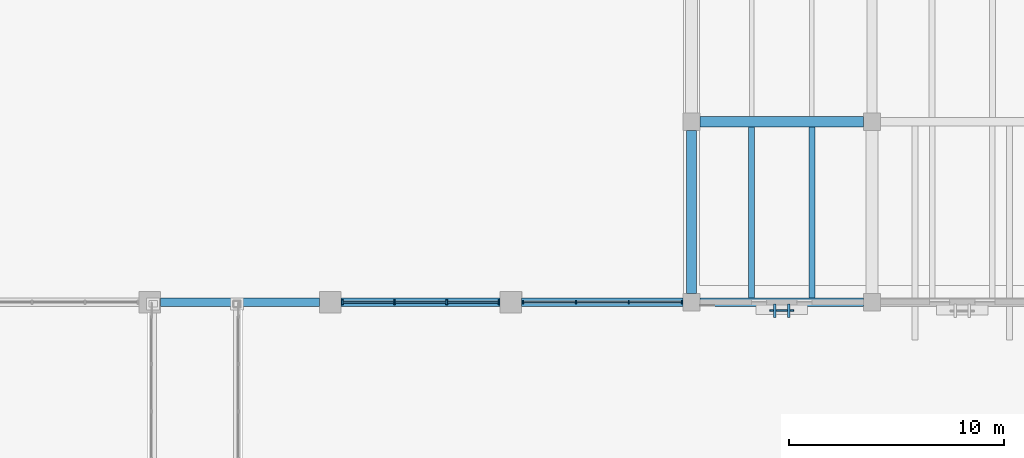
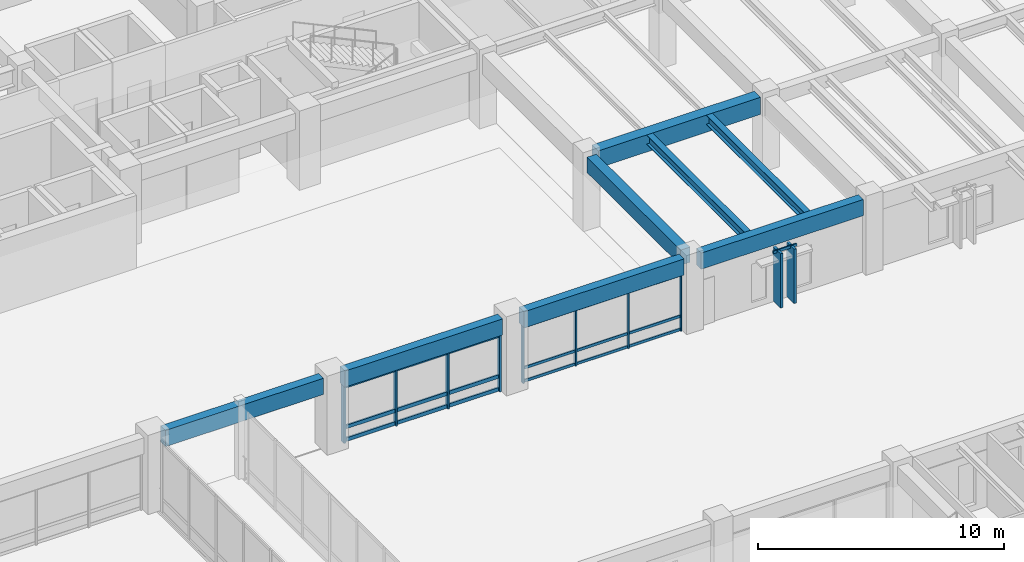
# One storey, part 40 of 135: 29 members, 8 beams, 3 elements without a shape of their own.
"""IFC4 building model written with IfcOpenShell, lengths in metres."""

from ifc_helpers import new_model, si_unit, direction, frame, origin, origin_2d, place, context, subcontext, project, spatial, rectangle, i_section, extrude, material, material_profile, profile_set, type_object, element, aggregate, save


model = new_model("IFC4")

# Units and contexts
model_context = context("Model", 3, precision=1e-05, world=origin(), true_north=direction((0.0, 1.0)))
body_context = subcontext(model_context, "Body", "Model", "MODEL_VIEW")
ifc_project = project(units=[si_unit("LENGTHUNIT", "METRE"), si_unit("AREAUNIT", "SQUARE_METRE"), si_unit("VOLUMEUNIT", "CUBIC_METRE"), si_unit("PLANEANGLEUNIT", "RADIAN"), si_unit("MASSUNIT", "GRAM", prefix="KILO")], contexts=[model_context])

# Site, building, storey
site_placement = place(None, origin())
site = spatial("IfcSite", under=ifc_project, at=site_placement, CompositionType="ELEMENT")
building_placement = place(site_placement, origin())
building = spatial("IfcBuilding", under=site, at=building_placement, Name="Cumbredor Promenade Congress Hotel", CompositionType="ELEMENT")
storey_placement = place(building_placement, origin())
storey = spatial("IfcBuildingStorey", under=building, at=storey_placement, Name="L00", CompositionType="ELEMENT", Elevation=0.0)

# Beams
ifc_material_1 = material(Name="Concrete C40/50", Category="concrete")
ifc_material_profile_1 = material_profile(ifc_material_1, rectangle(XDim=0.449951171875, YDim=0.75, at=origin_2d()), Name="RC BEAM 450x750")
ifc_profile_set_1 = profile_set([ifc_material_profile_1], Name="Concrete C40/50")
beam_type_1 = type_object("IfcBeamType", Name="BM-RC-450x750", PredefinedType="BEAM", material=ifc_profile_set_1)
beam_1_placement = place(storey_placement, frame((50.39990234375, 84.39990234375, 3.264892578125), z_axis=(0.0, 1.0, 0.0), x_axis=(-1.0, 0.0, 0.0)))
element("IfcBeam", 1, at=beam_1_placement, inside=storey, type_object=beam_type_1, Name="L01 Y-Grid Beam 079", PredefinedType="BEAM", context=body_context, shape_type="SweptSolid", body=[
    extrude(rectangle(XDim=0.449951171875, YDim=0.75, at=origin_2d()), origin(), (0.0, 0.0, 1.0), 7.60009765625),
])
ifc_material_profile_2 = material_profile(ifc_material_1, rectangle(XDim=0.5, YDim=0.85009765625, at=origin_2d()), Name="RC BEAM 500x850")
ifc_profile_set_2 = profile_set([ifc_material_profile_2], Name="Concrete C40/50")
beam_type_2 = type_object("IfcBeamType", Name="BM-RC-500x850", PredefinedType="BEAM", material=ifc_profile_set_2)
beam_2_placement = place(storey_placement, frame((50.800048828125, 92.39990234375, 3.215087890625), z_axis=(1.0, 0.0, 0.0), x_axis=(0.0, 1.0, 0.0)))
element("IfcBeam", 2, at=beam_2_placement, inside=storey, type_object=beam_type_2, Name="L01 X-Grid Beam 080", PredefinedType="BEAM", context=body_context, shape_type="SweptSolid", body=[
    extrude(rectangle(XDim=0.5, YDim=0.85009765625, at=origin_2d()), origin(), (0.0, 0.0, 1.0), 7.599853515625),
])

# Curtain wall, members
ifc_material_2 = material(Name="Thermally broken anodized aluminium and low-E glass", Category="aluminium")
curtain_wall_type_1 = type_object("IfcCurtainWallType", Name="Unitised Grand Foyer Curtain Wall CW-04", PredefinedType="NOTDEFINED", material=ifc_material_2)
curtain_wall_1_placement = place(storey_placement, origin())
curtain_wall_1 = element("IfcCurtainWall", 3, at=curtain_wall_1_placement, inside=storey, type_object=curtain_wall_type_1, Name="L00 Stepped Congress Hotel Wing South Curtain Wall 6", PredefinedType="NOTDEFINED")
ifc_material_3 = material(Name="Thermally broken anodized aluminium", Category="aluminium")
ifc_material_profile_3 = material_profile(ifc_material_3, rectangle(XDim=0.06494140625, YDim=0.159912109375, at=origin_2d()), Name="ALU MULLION 65x160")
ifc_profile_set_3 = profile_set([ifc_material_profile_3], Name="Thermally broken anodized aluminium")
member_type_1 = type_object("IfcMemberType", Name="Curtain Wall Mullion ML-01", PredefinedType="MULLION", material=ifc_profile_set_3)
member_1_placement = place(storey_placement, frame((42.554931640625, 84.0, -0.008056640625), z_axis=(0.0, 0.0, 1.0), x_axis=(1.0, 0.0, 0.0)))
member_1 = element("IfcMember", 4, at=member_1_placement, type_object=member_type_1, Name="L00 Stepped Congress Hotel Wing South Curtain Wall 6 Mullion 1", PredefinedType="MULLION", context=body_context, shape_type="SweptSolid", body=[
    extrude(rectangle(XDim=0.06494140625, YDim=0.159912109375, at=origin_2d()), origin(), (0.0, 0.0, 1.0), 2.841064453125),
])
member_2_placement = place(storey_placement, frame((45.018310546875, 84.0, -0.008056640625), z_axis=(0.0, 0.0, 1.0), x_axis=(1.0, 0.0, 0.0)))
member_2 = element("IfcMember", 5, at=member_2_placement, type_object=member_type_1, Name="L00 Stepped Congress Hotel Wing South Curtain Wall 6 Mullion 2", PredefinedType="MULLION", context=body_context, shape_type="SweptSolid", body=[
    extrude(rectangle(XDim=0.06494140625, YDim=0.159912109375, at=origin_2d()), origin(), (0.0, 0.0, 1.0), 2.841064453125),
])
member_3_placement = place(storey_placement, frame((47.481689453125, 84.0, -0.008056640625), z_axis=(0.0, 0.0, 1.0), x_axis=(1.0, 0.0, 0.0)))
member_3 = element("IfcMember", 6, at=member_3_placement, type_object=member_type_1, Name="L00 Stepped Congress Hotel Wing South Curtain Wall 6 Mullion 3", PredefinedType="MULLION", context=body_context, shape_type="SweptSolid", body=[
    extrude(rectangle(XDim=0.06494140625, YDim=0.159912109375, at=origin_2d()), origin(), (0.0, 0.0, 1.0), 2.841064453125),
])
member_4_placement = place(storey_placement, frame((49.945068359375, 84.0, -0.008056640625), z_axis=(0.0, 0.0, 1.0), x_axis=(1.0, 0.0, 0.0)))
member_4 = element("IfcMember", 7, at=member_4_placement, type_object=member_type_1, Name="L00 Stepped Congress Hotel Wing South Curtain Wall 6 Mullion 4", PredefinedType="MULLION", context=body_context, shape_type="SweptSolid", body=[
    extrude(rectangle(XDim=0.06494140625, YDim=0.159912109375, at=origin_2d()), origin(), (0.0, 0.0, 1.0), 2.841064453125),
])

curtain_wall_2_placement = place(storey_placement, origin())
curtain_wall_2 = element("IfcCurtainWall", 8, at=curtain_wall_2_placement, inside=storey, type_object=curtain_wall_type_1, Name="L00 Stepped Congress Hotel Wing South Curtain Wall 5", PredefinedType="NOTDEFINED")
ifc_material_profile_4 = material_profile(ifc_material_3, rectangle(XDim=0.080078125, YDim=0.239990234375, at=origin_2d()), Name="ALU MULLION 80x240")
ifc_profile_set_4 = profile_set([ifc_material_profile_4], Name="Thermally broken anodized aluminium")
member_type_2 = type_object("IfcMemberType", Name="Curtain Wall Mullion ML-03", PredefinedType="MULLION", material=ifc_profile_set_4)
member_5_placement = place(storey_placement, frame((34.155029296875, 84.0, -0.008056640625), z_axis=(0.0, 0.0, 1.0), x_axis=(1.0, 0.0, 0.0)))
member_5 = element("IfcMember", 9, at=member_5_placement, type_object=member_type_2, Name="L00 Stepped Congress Hotel Wing South Curtain Wall 5 Mullion 1", PredefinedType="MULLION", context=body_context, shape_type="SweptSolid", body=[
    extrude(rectangle(XDim=0.080078125, YDim=0.239990234375, at=origin_2d()), origin(), (0.0, 0.0, 1.0), 2.841064453125),
])
member_6_placement = place(storey_placement, frame((36.5849609375, 84.0, -0.008056640625), z_axis=(0.0, 0.0, 1.0), x_axis=(1.0, 0.0, 0.0)))
member_6 = element("IfcMember", 10, at=member_6_placement, type_object=member_type_2, Name="L00 Stepped Congress Hotel Wing South Curtain Wall 5 Mullion 2", PredefinedType="MULLION", context=body_context, shape_type="SweptSolid", body=[
    extrude(rectangle(XDim=0.080078125, YDim=0.239990234375, at=origin_2d()), origin(), (0.0, 0.0, 1.0), 2.841064453125),
])
member_7_placement = place(storey_placement, frame((39.014892578125, 84.0, -0.008056640625), z_axis=(0.0, 0.0, 1.0), x_axis=(1.0, 0.0, 0.0)))
member_7 = element("IfcMember", 11, at=member_7_placement, type_object=member_type_2, Name="L00 Stepped Congress Hotel Wing South Curtain Wall 5 Mullion 3", PredefinedType="MULLION", context=body_context, shape_type="SweptSolid", body=[
    extrude(rectangle(XDim=0.080078125, YDim=0.239990234375, at=origin_2d()), origin(), (0.0, 0.0, 1.0), 2.841064453125),
])
member_8_placement = place(storey_placement, frame((41.445068359375, 84.0, -0.008056640625), z_axis=(0.0, 0.0, 1.0), x_axis=(1.0, 0.0, 0.0)))
member_8 = element("IfcMember", 12, at=member_8_placement, type_object=member_type_2, Name="L00 Stepped Congress Hotel Wing South Curtain Wall 5 Mullion 4", PredefinedType="MULLION", context=body_context, shape_type="SweptSolid", body=[
    extrude(rectangle(XDim=0.080078125, YDim=0.239990234375, at=origin_2d()), origin(), (0.0, 0.0, 1.0), 2.841064453125),
])

# Member
ifc_material_profile_5 = material_profile(ifc_material_3, rectangle(XDim=0.06494140625, YDim=0.1298828125, at=origin_2d()), Name="ALU TRANSOM 65x130")
ifc_profile_set_5 = profile_set([ifc_material_profile_5], Name="Thermally broken anodized aluminium")
member_type_3 = type_object("IfcMemberType", Name="Curtain Wall Transom TR-01", PredefinedType="USERDEFINED", material=ifc_profile_set_5)
member_9_placement = place(storey_placement, frame((42.58740234375, 84.0, 0.070068359375), z_axis=(1.0, 0.0, 0.0), x_axis=(0.0, 1.0, 0.0)))
member_9 = element("IfcMember", 13, at=member_9_placement, type_object=member_type_3, Name="L00 Stepped Congress Hotel Wing South Curtain Wall 6 Transom 1.1", ObjectType="TRANSOM", PredefinedType="USERDEFINED", context=body_context, shape_type="SweptSolid", body=[
    extrude(rectangle(XDim=0.06494140625, YDim=0.1298828125, at=origin_2d()), origin(), (0.0, 0.0, 1.0), 2.3984375),
])

member_10_placement = place(storey_placement, frame((42.58740234375, 84.0, 0.719970703125), z_axis=(1.0, 0.0, 0.0), x_axis=(0.0, 1.0, 0.0)))
member_10 = element("IfcMember", 14, at=member_10_placement, type_object=member_type_3, Name="L00 Stepped Congress Hotel Wing South Curtain Wall 6 Transom 1.2", ObjectType="TRANSOM", PredefinedType="USERDEFINED", context=body_context, shape_type="SweptSolid", body=[
    extrude(rectangle(XDim=0.06494140625, YDim=0.1298828125, at=origin_2d()), origin(), (0.0, 0.0, 1.0), 2.3984375),
])

member_11_placement = place(storey_placement, frame((42.58740234375, 84.0, 2.760009765625), z_axis=(1.0, 0.0, 0.0), x_axis=(0.0, 1.0, 0.0)))
member_11 = element("IfcMember", 15, at=member_11_placement, type_object=member_type_3, Name="L00 Stepped Congress Hotel Wing South Curtain Wall 6 Transom 1.3", ObjectType="TRANSOM", PredefinedType="USERDEFINED", context=body_context, shape_type="SweptSolid", body=[
    extrude(rectangle(XDim=0.06494140625, YDim=0.1298828125, at=origin_2d()), origin(), (0.0, 0.0, 1.0), 2.3984375),
])

member_12_placement = place(storey_placement, frame((45.05078125, 84.0, 0.070068359375), z_axis=(1.0, 0.0, 0.0), x_axis=(0.0, 1.0, 0.0)))
member_12 = element("IfcMember", 16, at=member_12_placement, type_object=member_type_3, Name="L00 Stepped Congress Hotel Wing South Curtain Wall 6 Transom 2.1", ObjectType="TRANSOM", PredefinedType="USERDEFINED", context=body_context, shape_type="SweptSolid", body=[
    extrude(rectangle(XDim=0.06494140625, YDim=0.1298828125, at=origin_2d()), origin(), (0.0, 0.0, 1.0), 2.3984375),
])

member_13_placement = place(storey_placement, frame((45.05078125, 84.0, 0.719970703125), z_axis=(1.0, 0.0, 0.0), x_axis=(0.0, 1.0, 0.0)))
member_13 = element("IfcMember", 17, at=member_13_placement, type_object=member_type_3, Name="L00 Stepped Congress Hotel Wing South Curtain Wall 6 Transom 2.2", ObjectType="TRANSOM", PredefinedType="USERDEFINED", context=body_context, shape_type="SweptSolid", body=[
    extrude(rectangle(XDim=0.06494140625, YDim=0.1298828125, at=origin_2d()), origin(), (0.0, 0.0, 1.0), 2.3984375),
])

member_14_placement = place(storey_placement, frame((45.05078125, 84.0, 2.760009765625), z_axis=(1.0, 0.0, 0.0), x_axis=(0.0, 1.0, 0.0)))
member_14 = element("IfcMember", 18, at=member_14_placement, type_object=member_type_3, Name="L00 Stepped Congress Hotel Wing South Curtain Wall 6 Transom 2.3", ObjectType="TRANSOM", PredefinedType="USERDEFINED", context=body_context, shape_type="SweptSolid", body=[
    extrude(rectangle(XDim=0.06494140625, YDim=0.1298828125, at=origin_2d()), origin(), (0.0, 0.0, 1.0), 2.3984375),
])

member_15_placement = place(storey_placement, frame((47.51416015625, 84.0, 0.070068359375), z_axis=(1.0, 0.0, 0.0), x_axis=(0.0, 1.0, 0.0)))
member_15 = element("IfcMember", 19, at=member_15_placement, type_object=member_type_3, Name="L00 Stepped Congress Hotel Wing South Curtain Wall 6 Transom 3.1", ObjectType="TRANSOM", PredefinedType="USERDEFINED", context=body_context, shape_type="SweptSolid", body=[
    extrude(rectangle(XDim=0.06494140625, YDim=0.1298828125, at=origin_2d()), origin(), (0.0, 0.0, 1.0), 2.3984375),
])

member_16_placement = place(storey_placement, frame((47.51416015625, 84.0, 0.719970703125), z_axis=(1.0, 0.0, 0.0), x_axis=(0.0, 1.0, 0.0)))
member_16 = element("IfcMember", 20, at=member_16_placement, type_object=member_type_3, Name="L00 Stepped Congress Hotel Wing South Curtain Wall 6 Transom 3.2", ObjectType="TRANSOM", PredefinedType="USERDEFINED", context=body_context, shape_type="SweptSolid", body=[
    extrude(rectangle(XDim=0.06494140625, YDim=0.1298828125, at=origin_2d()), origin(), (0.0, 0.0, 1.0), 2.3984375),
])

member_17_placement = place(storey_placement, frame((47.51416015625, 84.0, 2.760009765625), z_axis=(1.0, 0.0, 0.0), x_axis=(0.0, 1.0, 0.0)))
member_17 = element("IfcMember", 21, at=member_17_placement, type_object=member_type_3, Name="L00 Stepped Congress Hotel Wing South Curtain Wall 6 Transom 3.3", ObjectType="TRANSOM", PredefinedType="USERDEFINED", context=body_context, shape_type="SweptSolid", body=[
    extrude(rectangle(XDim=0.06494140625, YDim=0.1298828125, at=origin_2d()), origin(), (0.0, 0.0, 1.0), 2.3984375),
])

aggregate(curtain_wall_1, [member_1, member_2, member_3, member_4, member_9, member_10, member_11, member_12, member_13, member_14, member_15, member_16, member_17])

# Curtain wall, member
curtain_wall_type_2 = type_object("IfcCurtainWallType", Name="Solar Brise-Soleil Screen Assembly CW-07", PredefinedType="NOTDEFINED", material=ifc_material_2)
curtain_wall_3_placement = place(storey_placement, origin())
curtain_wall_3 = element("IfcCurtainWall", 22, at=curtain_wall_3_placement, inside=storey, type_object=curtain_wall_type_2, Name="L00 Pier Brise-Soleil Screen 0097", PredefinedType="NOTDEFINED")
member_18_placement = place(storey_placement, frame((54.050048828125, 83.610107421875, 2.6650390625), z_axis=(1.0, 0.0, 0.0), x_axis=(0.0, 1.0, 0.0)))
member_18 = element("IfcMember", 23, at=member_18_placement, type_object=member_type_3, Name="L00 Pier Brise-Soleil Header 0099", ObjectType="TRANSOM", PredefinedType="USERDEFINED", context=body_context, shape_type="SweptSolid", body=[
    extrude(rectangle(XDim=0.06494140625, YDim=0.1298828125, at=origin_2d()), origin(), (0.0, 0.0, 1.0), 1.099853515625),
])

# Member
ifc_material_profile_6 = material_profile(ifc_material_3, rectangle(XDim=0.080078125, YDim=0.179931640625, at=origin_2d()), Name="ALU TRANSOM 80x180")
ifc_profile_set_6 = profile_set([ifc_material_profile_6], Name="Thermally broken anodized aluminium")
member_type_4 = type_object("IfcMemberType", Name="Curtain Wall Transom TR-03", PredefinedType="USERDEFINED", material=ifc_profile_set_6)
member_19_placement = place(storey_placement, frame((34.195068359375, 84.0, 0.090087890625), z_axis=(1.0, 0.0, 0.0), x_axis=(0.0, 1.0, 0.0)))
member_19 = element("IfcMember", 24, at=member_19_placement, type_object=member_type_4, Name="L00 Stepped Congress Hotel Wing South Curtain Wall 5 Transom 1.1", ObjectType="TRANSOM", PredefinedType="USERDEFINED", context=body_context, shape_type="SweptSolid", body=[
    extrude(rectangle(XDim=0.080078125, YDim=0.179931640625, at=origin_2d()), origin(), (0.0, 0.0, 1.0), 2.349853515625),
])

member_20_placement = place(storey_placement, frame((34.195068359375, 84.0, 0.719970703125), z_axis=(1.0, 0.0, 0.0), x_axis=(0.0, 1.0, 0.0)))
member_20 = element("IfcMember", 25, at=member_20_placement, type_object=member_type_4, Name="L00 Stepped Congress Hotel Wing South Curtain Wall 5 Transom 1.2", ObjectType="TRANSOM", PredefinedType="USERDEFINED", context=body_context, shape_type="SweptSolid", body=[
    extrude(rectangle(XDim=0.080078125, YDim=0.179931640625, at=origin_2d()), origin(), (0.0, 0.0, 1.0), 2.349853515625),
])

member_21_placement = place(storey_placement, frame((34.195068359375, 84.0, 2.739990234375), z_axis=(1.0, 0.0, 0.0), x_axis=(0.0, 1.0, 0.0)))
member_21 = element("IfcMember", 26, at=member_21_placement, type_object=member_type_4, Name="L00 Stepped Congress Hotel Wing South Curtain Wall 5 Transom 1.3", ObjectType="TRANSOM", PredefinedType="USERDEFINED", context=body_context, shape_type="SweptSolid", body=[
    extrude(rectangle(XDim=0.080078125, YDim=0.179931640625, at=origin_2d()), origin(), (0.0, 0.0, 1.0), 2.349853515625),
])

member_22_placement = place(storey_placement, frame((36.625, 84.0, 0.090087890625), z_axis=(1.0, 0.0, 0.0), x_axis=(0.0, 1.0, 0.0)))
member_22 = element("IfcMember", 27, at=member_22_placement, type_object=member_type_4, Name="L00 Stepped Congress Hotel Wing South Curtain Wall 5 Transom 2.1", ObjectType="TRANSOM", PredefinedType="USERDEFINED", context=body_context, shape_type="SweptSolid", body=[
    extrude(rectangle(XDim=0.080078125, YDim=0.179931640625, at=origin_2d()), origin(), (0.0, 0.0, 1.0), 2.35009765625),
])

member_23_placement = place(storey_placement, frame((36.625, 84.0, 0.719970703125), z_axis=(1.0, 0.0, 0.0), x_axis=(0.0, 1.0, 0.0)))
member_23 = element("IfcMember", 28, at=member_23_placement, type_object=member_type_4, Name="L00 Stepped Congress Hotel Wing South Curtain Wall 5 Transom 2.2", ObjectType="TRANSOM", PredefinedType="USERDEFINED", context=body_context, shape_type="SweptSolid", body=[
    extrude(rectangle(XDim=0.080078125, YDim=0.179931640625, at=origin_2d()), origin(), (0.0, 0.0, 1.0), 2.35009765625),
])

member_24_placement = place(storey_placement, frame((36.625, 84.0, 2.739990234375), z_axis=(1.0, 0.0, 0.0), x_axis=(0.0, 1.0, 0.0)))
member_24 = element("IfcMember", 29, at=member_24_placement, type_object=member_type_4, Name="L00 Stepped Congress Hotel Wing South Curtain Wall 5 Transom 2.3", ObjectType="TRANSOM", PredefinedType="USERDEFINED", context=body_context, shape_type="SweptSolid", body=[
    extrude(rectangle(XDim=0.080078125, YDim=0.179931640625, at=origin_2d()), origin(), (0.0, 0.0, 1.0), 2.35009765625),
])

member_25_placement = place(storey_placement, frame((39.054931640625, 84.0, 0.090087890625), z_axis=(1.0, 0.0, 0.0), x_axis=(0.0, 1.0, 0.0)))
member_25 = element("IfcMember", 30, at=member_25_placement, type_object=member_type_4, Name="L00 Stepped Congress Hotel Wing South Curtain Wall 5 Transom 3.1", ObjectType="TRANSOM", PredefinedType="USERDEFINED", context=body_context, shape_type="SweptSolid", body=[
    extrude(rectangle(XDim=0.080078125, YDim=0.179931640625, at=origin_2d()), origin(), (0.0, 0.0, 1.0), 2.35009765625),
])

member_26_placement = place(storey_placement, frame((39.054931640625, 84.0, 0.719970703125), z_axis=(1.0, 0.0, 0.0), x_axis=(0.0, 1.0, 0.0)))
member_26 = element("IfcMember", 31, at=member_26_placement, type_object=member_type_4, Name="L00 Stepped Congress Hotel Wing South Curtain Wall 5 Transom 3.2", ObjectType="TRANSOM", PredefinedType="USERDEFINED", context=body_context, shape_type="SweptSolid", body=[
    extrude(rectangle(XDim=0.080078125, YDim=0.179931640625, at=origin_2d()), origin(), (0.0, 0.0, 1.0), 2.35009765625),
])

member_27_placement = place(storey_placement, frame((39.054931640625, 84.0, 2.739990234375), z_axis=(1.0, 0.0, 0.0), x_axis=(0.0, 1.0, 0.0)))
member_27 = element("IfcMember", 32, at=member_27_placement, type_object=member_type_4, Name="L00 Stepped Congress Hotel Wing South Curtain Wall 5 Transom 3.3", ObjectType="TRANSOM", PredefinedType="USERDEFINED", context=body_context, shape_type="SweptSolid", body=[
    extrude(rectangle(XDim=0.080078125, YDim=0.179931640625, at=origin_2d()), origin(), (0.0, 0.0, 1.0), 2.35009765625),
])

aggregate(curtain_wall_2, [member_5, member_6, member_7, member_8, member_19, member_20, member_21, member_22, member_23, member_24, member_25, member_26, member_27])

# Beams
ifc_material_4 = material(Name="Steel ASTM A992 Grade 50", Category="steel")
ifc_material_profile_7 = material_profile(ifc_material_4, i_section(OverallWidth=0.280029296875, OverallDepth=0.462890625, WebThickness=0.0107421875, FlangeThickness=0.017333984375, at=origin_2d()), Name="W18X76")
ifc_profile_set_7 = profile_set([ifc_material_profile_7], Name="Steel ASTM A992 Grade 50")
beam_type_3 = type_object("IfcBeamType", Name="JST-W18X76", PredefinedType="JOIST", material=ifc_profile_set_7)
for number, where, z_axis, x_axis, name in (
    (33, (53.199951171875, 84.199951171875, 3.408447265625), (0.0, 1.0, 0.0), (-1.0, 0.0, 0.0), "L01 Secondary Floor Joist 0036"),
    (34, (56.0, 84.199951171875, 3.408447265625), (0.0, 1.0, 0.0), (-1.0, 0.0, 0.0), "L01 Secondary Floor Joist 0037"),
):
    element("IfcBeam", number, at=place(storey_placement, frame(where, z_axis=z_axis, x_axis=x_axis)), inside=storey, type_object=beam_type_3, Name=name, PredefinedType="JOIST", context=body_context, shape_type="SweptSolid", body=[
        extrude(i_section(OverallWidth=0.280029296875, OverallDepth=0.462890625, WebThickness=0.0107421875, FlangeThickness=0.017333984375, at=origin_2d()), origin(), (0.0, 0.0, 1.0), 7.949951171875),
    ])
ifc_material_profile_8 = material_profile(ifc_material_1, rectangle(XDim=0.39990234375, YDim=0.800048828125, at=origin_2d()), Name="RC SPANDREL 400x800")
ifc_profile_set_8 = profile_set([ifc_material_profile_8], Name="Concrete C40/50")
beam_type_4 = type_object("IfcBeamType", Name="SP-RC-400x800", PredefinedType="SPANDREL", material=ifc_profile_set_8)
beam_3_placement = place(storey_placement, frame((25.699951171875, 84.0, 3.239990234375), z_axis=(1.0, 0.0, 0.0), x_axis=(0.0, 1.0, 0.0)))
element("IfcBeam", 35, at=beam_3_placement, inside=storey, type_object=beam_type_4, Name="L01 X-Grid Beam 054", PredefinedType="SPANDREL", context=body_context, shape_type="SweptSolid", body=[
    extrude(rectangle(XDim=0.39990234375, YDim=0.800048828125, at=origin_2d()), origin(), (0.0, 0.0, 1.0), 7.400146484375),
])
beam_4_placement = place(storey_placement, frame((34.10009765625, 84.0, 3.239990234375), z_axis=(1.0, 0.0, 0.0), x_axis=(0.0, 1.0, 0.0)))
element("IfcBeam", 36, at=beam_4_placement, inside=storey, type_object=beam_type_4, Name="L01 X-Grid Beam 060", PredefinedType="SPANDREL", context=body_context, shape_type="SweptSolid", body=[
    extrude(rectangle(XDim=0.39990234375, YDim=0.800048828125, at=origin_2d()), origin(), (0.0, 0.0, 1.0), 7.39990234375),
])
beam_5_placement = place(storey_placement, frame((42.5, 84.0, 3.239990234375), z_axis=(1.0, 0.0, 0.0), x_axis=(0.0, 1.0, 0.0)))
element("IfcBeam", 37, at=beam_5_placement, inside=storey, type_object=beam_type_4, Name="L01 X-Grid Beam 067", PredefinedType="SPANDREL", context=body_context, shape_type="SweptSolid", body=[
    extrude(rectangle(XDim=0.39990234375, YDim=0.800048828125, at=origin_2d()), origin(), (0.0, 0.0, 1.0), 7.5),
])
beam_6_placement = place(storey_placement, frame((50.800048828125, 84.0, 3.239990234375), z_axis=(1.0, 0.0, 0.0), x_axis=(0.0, 1.0, 0.0)))
element("IfcBeam", 38, at=beam_6_placement, inside=storey, type_object=beam_type_4, Name="L01 X-Grid Beam 078", PredefinedType="SPANDREL", context=body_context, shape_type="SweptSolid", body=[
    extrude(rectangle(XDim=0.39990234375, YDim=0.800048828125, at=origin_2d()), origin(), (0.0, 0.0, 1.0), 7.599853515625),
])

# Member
ifc_material_profile_9 = material_profile(ifc_material_3, rectangle(XDim=0.110107421875, YDim=0.6201171875, at=origin_2d()), Name="ARCH FIN 110x620")
ifc_profile_set_9 = profile_set([ifc_material_profile_9], Name="Thermally broken anodized aluminium")
member_type_5 = type_object("IfcMemberType", Name="Vertical Bronze Brise-Soleil Fin BSF-02 110x620", PredefinedType="USERDEFINED", material=ifc_profile_set_9)
member_28_placement = place(storey_placement, frame((54.280029296875, 83.610107421875, 0.02001953125), z_axis=(0.0, 0.0, 1.0), x_axis=(1.0, 0.0, 0.0)))
member_28 = element("IfcMember", 39, at=member_28_placement, type_object=member_type_5, Name="L00 Pier Brise-Soleil Fin 0098", ObjectType="SOLAR FIN", PredefinedType="USERDEFINED", context=body_context, shape_type="SweptSolid", body=[
    extrude(rectangle(XDim=0.110107421875, YDim=0.6201171875, at=origin_2d()), origin(), (0.0, 0.0, 1.0), 2.68505859375),
])

member_29_placement = place(storey_placement, frame((54.919921875, 83.610107421875, 0.02001953125), z_axis=(0.0, 0.0, 1.0), x_axis=(1.0, 0.0, 0.0)))
member_29 = element("IfcMember", 40, at=member_29_placement, type_object=member_type_5, Name="L00 Pier Brise-Soleil Fin 0099", ObjectType="SOLAR FIN", PredefinedType="USERDEFINED", context=body_context, shape_type="SweptSolid", body=[
    extrude(rectangle(XDim=0.110107421875, YDim=0.6201171875, at=origin_2d()), origin(), (0.0, 0.0, 1.0), 2.68505859375),
])

aggregate(curtain_wall_3, [member_28, member_29, member_18])

save(model, "model.ifc")
